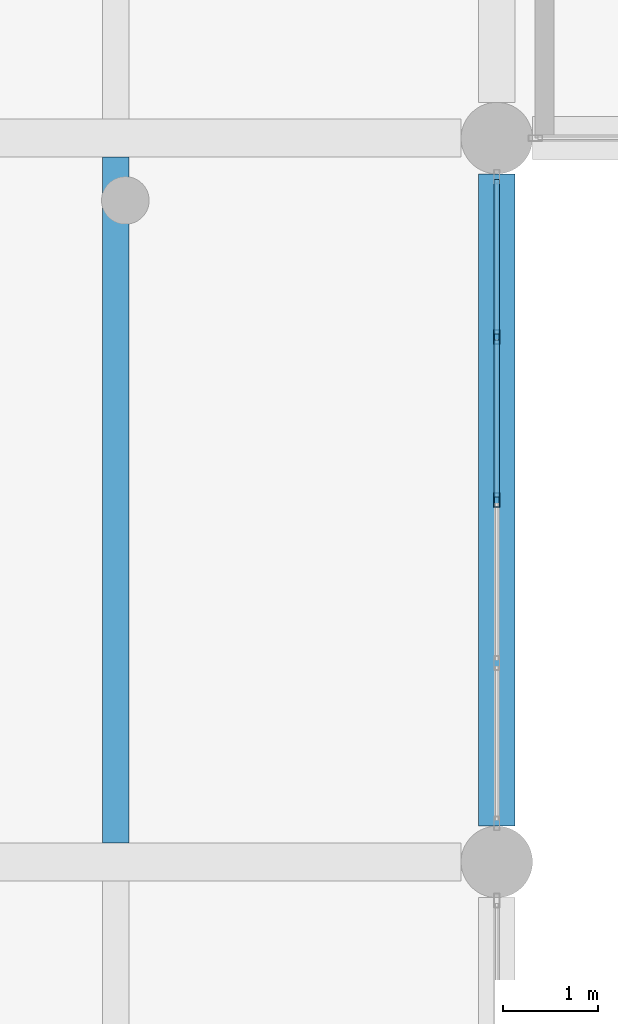
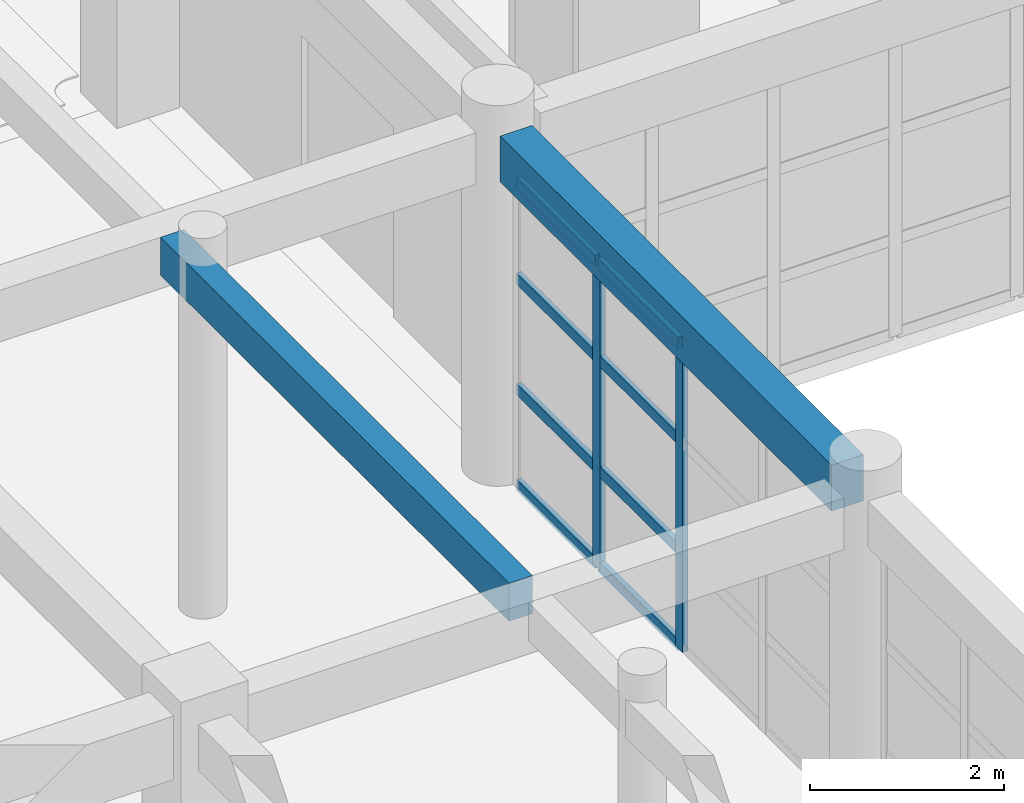
# One storey, part 31 of 101: 10 members, 2 beams, 1 element without a shape of its own.
"""IFC4 building model written with IfcOpenShell, lengths in metres."""

from ifc_helpers import new_model, si_unit, direction, frame, origin, origin_2d, place, context, subcontext, project, spatial, rectangle, hollow_rectangle, extrude, material, material_profile, profile_set, type_object, element, aggregate, save


model = new_model("IFC4")

# Units and contexts
model_context = context("Model", 3, precision=1e-05, world=origin(), true_north=direction((0.0, 1.0)))
body_context = subcontext(model_context, "Body", "Model", "MODEL_VIEW")
ifc_project = project(units=[si_unit("LENGTHUNIT", "METRE"), si_unit("AREAUNIT", "SQUARE_METRE"), si_unit("VOLUMEUNIT", "CUBIC_METRE"), si_unit("PLANEANGLEUNIT", "RADIAN"), si_unit("MASSUNIT", "GRAM", prefix="KILO")], contexts=[model_context])

# Site, building, storey
site_placement = place(None, origin())
site = spatial("IfcSite", under=ifc_project, at=site_placement, CompositionType="ELEMENT")
building_placement = place(site_placement, origin())
building = spatial("IfcBuilding", under=site, at=building_placement, Name="Zantavel Square City Hall", CompositionType="ELEMENT")
storey_placement = place(building_placement, frame((0.0, 0.0, 5.39990234375)))
storey = spatial("IfcBuildingStorey", under=building, at=storey_placement, Name="L02", CompositionType="ELEMENT", Elevation=5.39990234375)

# Beam
ifc_material_1 = material(Name="Concrete C35/45", Category="concrete")
ifc_material_profile_1 = material_profile(ifc_material_1, rectangle(XDim=0.3798828125, YDim=0.580078125, at=origin_2d()), Name="RC 380x580")
ifc_profile_set_1 = profile_set([ifc_material_profile_1], Name="Concrete C35/45")
beam_type_1 = type_object("IfcBeamType", Name="Annex Secondary Beam RC 380x580 C35/45", PredefinedType="BEAM", material=ifc_profile_set_1)
beam_1_placement = place(storey_placement, frame((120.0, 61.175048828125, 4.16015625), z_axis=(0.0, 1.0, 0.0), x_axis=(-1.0, 0.0, 0.0)))
element("IfcBeam", 1, at=beam_1_placement, inside=storey, type_object=beam_type_1, Name="L02 Beam BMY-L02-1200-0608", PredefinedType="BEAM", context=body_context, shape_type="SweptSolid", body=[
    extrude(rectangle(XDim=0.3798828125, YDim=0.580078125, at=origin_2d()), origin(), (0.0, 0.0, 1.0), 6.849853515625),
])

# Curtain wall, members
ifc_material_2 = material(Name="Anodised aluminium 6063-T6", Category="aluminium")
curtain_wall_type = type_object("IfcCurtainWallType", Name="Curtain Wall CRT 6850x3870", PredefinedType="USERDEFINED", material=ifc_material_2)
curtain_wall_placement = place(storey_placement, origin())
curtain_wall = element("IfcCurtainWall", 2, at=curtain_wall_placement, inside=storey, type_object=curtain_wall_type, Name="L02 Glazed Curtain Wall CW-L02-063", ObjectType="GLAZED CURTAIN WALL", PredefinedType="USERDEFINED")
ifc_material_profile_2 = material_profile(ifc_material_2, hollow_rectangle(XDim=0.06494140625, YDim=0.14990234375, WallThickness=0.00390625, at=origin_2d()), Name="ALU 65x150x4")
ifc_profile_set_2 = profile_set([ifc_material_profile_2], Name="Anodised aluminium 6063-T6")
member_type_1 = type_object("IfcMemberType", Name="CW Mullion ALU 65x150x4", PredefinedType="MULLION", material=ifc_profile_set_2)
member_1_placement = place(storey_placement, frame((120.0, 66.3125, 0.0), z_axis=(0.0, 0.0, 1.0), x_axis=(1.0, 0.0, 0.0)))
member_1 = element("IfcMember", 3, at=member_1_placement, type_object=member_type_1, Name="CW-063 mullion 2", PredefinedType="MULLION", context=body_context, shape_type="SweptSolid", body=[
    extrude(hollow_rectangle(XDim=0.06494140625, YDim=0.14990234375, WallThickness=0.00390625, at=origin_2d()), origin(), (0.0, 0.0, 1.0), 3.8701171875),
])
member_2_placement = place(storey_placement, frame((120.0, 64.60009765625, 0.0), z_axis=(0.0, 0.0, 1.0), x_axis=(1.0, 0.0, 0.0)))
member_2 = element("IfcMember", 4, at=member_2_placement, type_object=member_type_1, Name="CW-063 mullion 3", PredefinedType="MULLION", context=body_context, shape_type="SweptSolid", body=[
    extrude(hollow_rectangle(XDim=0.06494140625, YDim=0.14990234375, WallThickness=0.00390625, at=origin_2d()), origin(), (0.0, 0.0, 1.0), 3.8701171875),
])
ifc_material_profile_3 = material_profile(ifc_material_2, hollow_rectangle(XDim=0.06005859375, YDim=0.139892578125, WallThickness=0.00390625, at=origin_2d()), Name="ALU 60x140x4")
ifc_profile_set_3 = profile_set([ifc_material_profile_3], Name="Anodised aluminium 6063-T6")
member_type_2 = type_object("IfcMemberType", Name="CW Transom ALU 60x140x4", PredefinedType="USERDEFINED", material=ifc_profile_set_3)
member_3_placement = place(storey_placement, frame((120.0, 67.965087890625, 0.030029296875), z_axis=(0.0, -1.0, 0.0), x_axis=(1.0, 0.0, 0.0)))
member_3 = element("IfcMember", 5, at=member_3_placement, type_object=member_type_2, Name="CW-063 transom 1.1", ObjectType="TRANSOM", PredefinedType="USERDEFINED", context=body_context, shape_type="SweptSolid", body=[
    extrude(hollow_rectangle(XDim=0.06005859375, YDim=0.139892578125, WallThickness=0.00390625, at=origin_2d()), origin(), (0.0, 0.0, 1.0), 1.62255859375),
])
member_4_placement = place(storey_placement, frame((120.0, 67.965087890625, 1.238037109375), z_axis=(0.0, -1.0, 0.0), x_axis=(1.0, 0.0, 0.0)))
member_4 = element("IfcMember", 6, at=member_4_placement, type_object=member_type_2, Name="CW-063 transom 1.2", ObjectType="TRANSOM", PredefinedType="USERDEFINED", context=body_context, shape_type="SweptSolid", body=[
    extrude(hollow_rectangle(XDim=0.06005859375, YDim=0.139892578125, WallThickness=0.00390625, at=origin_2d()), origin(), (0.0, 0.0, 1.0), 1.62255859375),
])
member_5_placement = place(storey_placement, frame((120.0, 67.965087890625, 2.632080078125), z_axis=(0.0, -1.0, 0.0), x_axis=(1.0, 0.0, 0.0)))
member_5 = element("IfcMember", 7, at=member_5_placement, type_object=member_type_2, Name="CW-063 transom 1.3", ObjectType="TRANSOM", PredefinedType="USERDEFINED", context=body_context, shape_type="SweptSolid", body=[
    extrude(hollow_rectangle(XDim=0.06005859375, YDim=0.139892578125, WallThickness=0.00390625, at=origin_2d()), origin(), (0.0, 0.0, 1.0), 1.62255859375),
])
member_6_placement = place(storey_placement, frame((120.0, 67.965087890625, 3.840087890625), z_axis=(0.0, -1.0, 0.0), x_axis=(1.0, 0.0, 0.0)))
member_6 = element("IfcMember", 8, at=member_6_placement, type_object=member_type_2, Name="CW-063 transom 1.4", ObjectType="TRANSOM", PredefinedType="USERDEFINED", context=body_context, shape_type="SweptSolid", body=[
    extrude(hollow_rectangle(XDim=0.06005859375, YDim=0.139892578125, WallThickness=0.00390625, at=origin_2d()), origin(), (0.0, 0.0, 1.0), 1.62255859375),
])
member_7_placement = place(storey_placement, frame((120.0, 66.282470703125, 0.030029296875), z_axis=(0.0, -1.0, 0.0), x_axis=(1.0, 0.0, 0.0)))
member_7 = element("IfcMember", 9, at=member_7_placement, type_object=member_type_2, Name="CW-063 transom 2.1", ObjectType="TRANSOM", PredefinedType="USERDEFINED", context=body_context, shape_type="SweptSolid", body=[
    extrude(hollow_rectangle(XDim=0.06005859375, YDim=0.139892578125, WallThickness=0.00390625, at=origin_2d()), origin(), (0.0, 0.0, 1.0), 1.652587890625),
])
member_8_placement = place(storey_placement, frame((120.0, 66.282470703125, 1.238037109375), z_axis=(0.0, -1.0, 0.0), x_axis=(1.0, 0.0, 0.0)))
member_8 = element("IfcMember", 10, at=member_8_placement, type_object=member_type_2, Name="CW-063 transom 2.2", ObjectType="TRANSOM", PredefinedType="USERDEFINED", context=body_context, shape_type="SweptSolid", body=[
    extrude(hollow_rectangle(XDim=0.06005859375, YDim=0.139892578125, WallThickness=0.00390625, at=origin_2d()), origin(), (0.0, 0.0, 1.0), 1.652587890625),
])
member_9_placement = place(storey_placement, frame((120.0, 66.282470703125, 2.632080078125), z_axis=(0.0, -1.0, 0.0), x_axis=(1.0, 0.0, 0.0)))
member_9 = element("IfcMember", 11, at=member_9_placement, type_object=member_type_2, Name="CW-063 transom 2.3", ObjectType="TRANSOM", PredefinedType="USERDEFINED", context=body_context, shape_type="SweptSolid", body=[
    extrude(hollow_rectangle(XDim=0.06005859375, YDim=0.139892578125, WallThickness=0.00390625, at=origin_2d()), origin(), (0.0, 0.0, 1.0), 1.652587890625),
])
member_10_placement = place(storey_placement, frame((120.0, 66.282470703125, 3.840087890625), z_axis=(0.0, -1.0, 0.0), x_axis=(1.0, 0.0, 0.0)))
member_10 = element("IfcMember", 12, at=member_10_placement, type_object=member_type_2, Name="CW-063 transom 2.4", ObjectType="TRANSOM", PredefinedType="USERDEFINED", context=body_context, shape_type="SweptSolid", body=[
    extrude(hollow_rectangle(XDim=0.06005859375, YDim=0.139892578125, WallThickness=0.00390625, at=origin_2d()), origin(), (0.0, 0.0, 1.0), 1.652587890625),
])
aggregate(curtain_wall, [member_1, member_2, member_3, member_4, member_5, member_6, member_7, member_8, member_9, member_10])

# Beam
ifc_material_profile_4 = material_profile(ifc_material_1, rectangle(XDim=0.280029296875, YDim=0.47998046875, at=origin_2d()), Name="RC 280x480")
ifc_profile_set_4 = profile_set([ifc_material_profile_4], Name="Concrete C35/45")
beam_type_2 = type_object("IfcBeamType", Name="Terrace Deck Joist RC 280x480 C35/45", PredefinedType="JOIST", material=ifc_profile_set_4)
beam_2_placement = place(storey_placement, frame((116.0, 61.0, 4.210205078125), z_axis=(0.0, 1.0, 0.0), x_axis=(-1.0, 0.0, 0.0)))
element("IfcBeam", 13, at=beam_2_placement, inside=storey, type_object=beam_type_2, Name="L02 Floor Joist JST-L02-1160-0608", PredefinedType="JOIST", context=body_context, shape_type="SweptSolid", body=[
    extrude(rectangle(XDim=0.280029296875, YDim=0.47998046875, at=origin_2d()), origin(), (0.0, 0.0, 1.0), 7.199951171875),
])

save(model, "model.ifc")
